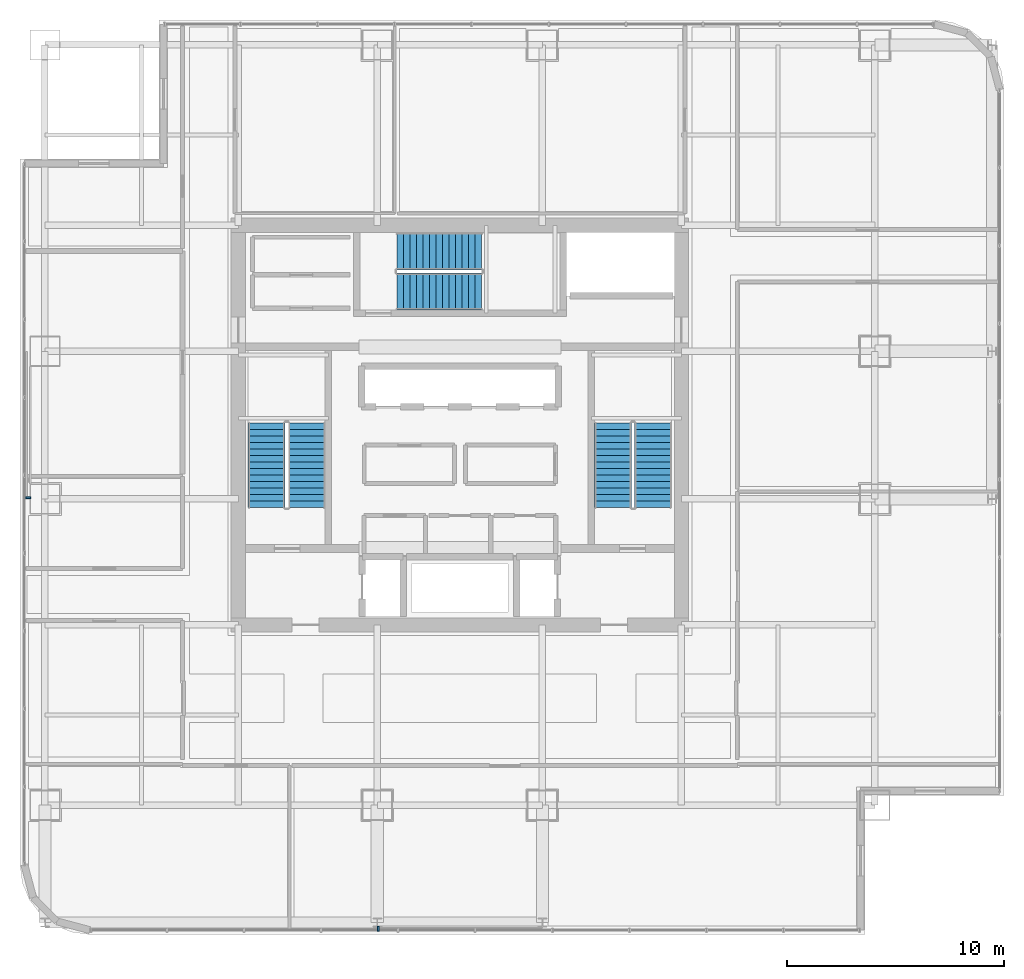
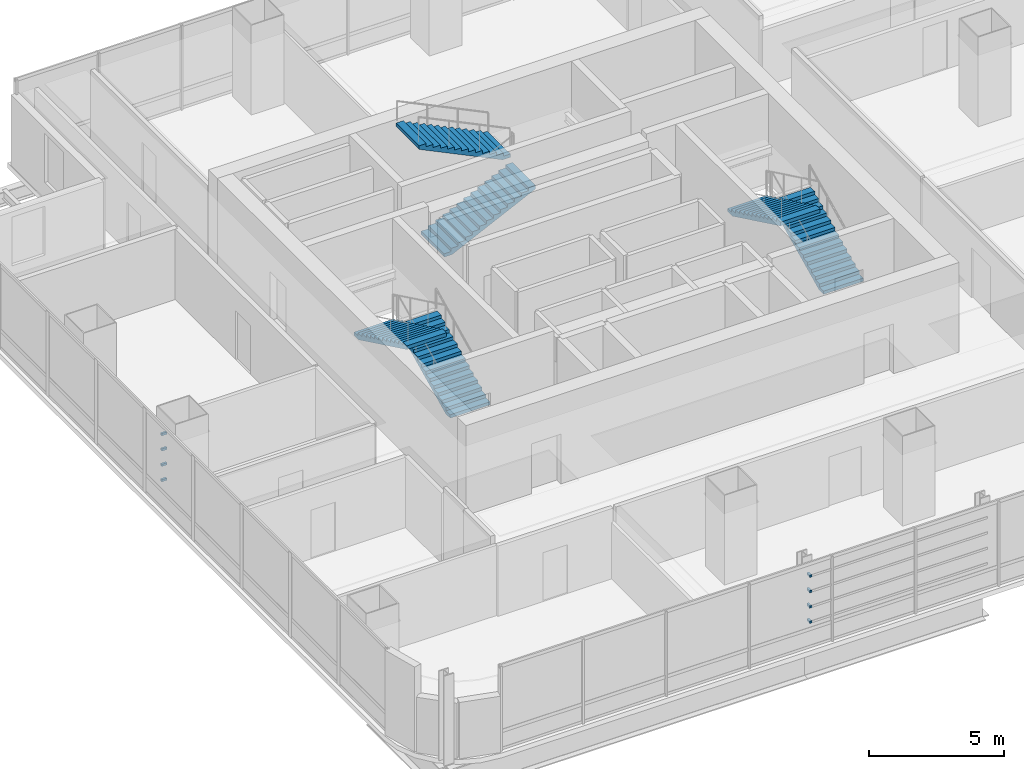
# One storey, part 32 of 37: 8 discrete accessories, 6 stair flights, 3 elements without a shape of their own.
"""IFC4 building model written with IfcOpenShell, lengths in metres."""

from ifc_helpers import new_model, si_unit, direction, frame, origin, origin_2d, place, context, subcontext, project, spatial, polyline, rectangle, outline, extrude, material, type_object, element, aggregate, save


model = new_model("IFC4")

# Units and contexts
model_context = context("Model", 3, precision=1e-05, world=origin(), true_north=direction((0.0, 1.0)))
body_context = subcontext(model_context, "Body", "Model", "MODEL_VIEW")
ifc_project = project(units=[si_unit("LENGTHUNIT", "METRE"), si_unit("AREAUNIT", "SQUARE_METRE"), si_unit("VOLUMEUNIT", "CUBIC_METRE"), si_unit("PLANEANGLEUNIT", "RADIAN"), si_unit("MASSUNIT", "GRAM", prefix="KILO")], contexts=[model_context])

# Site, building, storey
site_placement = place(None, origin())
site = spatial("IfcSite", under=ifc_project, at=site_placement, CompositionType="ELEMENT")
building_placement = place(site_placement, origin())
building = spatial("IfcBuilding", under=site, at=building_placement, Name="Punatoya Terracotta Tower", CompositionType="ELEMENT")
storey_placement = place(building_placement, frame((0.0, 0.0, 224.85009765625)))
storey = spatial("IfcBuildingStorey", under=building, at=storey_placement, Name="L53", CompositionType="ELEMENT", Elevation=224.85009765625)

# Stair, stair flights
ifc_material_1 = material(Name="Concrete C40/50", Category="concrete")
stair_type_1 = type_object("IfcStairType", Name="STR-CORE-1550", PredefinedType="HALF_TURN_STAIR", material=ifc_material_1)
stair_1_placement = place(storey_placement, origin())
stair_1 = element("IfcStair", 1, at=stair_1_placement, inside=storey, type_object=stair_type_1, Name="L53 Protected Core Exit Stair ST-1", PredefinedType="HALF_TURN_STAIR")
stair_flight_type_1 = type_object("IfcStairFlightType", Name="SFL-CORE-1550", PredefinedType="STRAIGHT", material=ifc_material_1)
stair_flight_1_placement = place(storey_placement, frame((-7.050048828125, -3.800048828125, 0.0), z_axis=(0.0, 0.0, 1.0), x_axis=(0.0, 1.0, 0.0)))
stair_flight_1 = element("IfcStairFlight", 2, at=stair_flight_1_placement, type_object=stair_flight_type_1, Name="ST-1 flight 1", NumberOfRisers=14, NumberOfTreads=13, PredefinedType="STRAIGHT", RiserHeight=0.144642857, TreadLength=0.3, context=body_context, shape_type="SweptSolid", body=[
    extrude(outline(polyline([(0.0, 0.0), (0.0, 0.14453125), (0.300048828125, 0.14453125), (0.300048828125, 0.289306640625), (0.60009765625, 0.289306640625), (0.60009765625, 0.433837890625), (0.89990234375, 0.433837890625), (0.89990234375, 0.57861328125), (1.199951171875, 0.57861328125), (1.199951171875, 0.72314453125), (1.5, 0.72314453125), (1.5, 0.867919921875), (1.800048828125, 0.867919921875), (1.800048828125, 1.012451171875), (2.10009765625, 1.012451171875), (2.10009765625, 1.1572265625), (2.39990234375, 1.1572265625), (2.39990234375, 1.3017578125), (2.699951171875, 1.3017578125), (2.699951171875, 1.446533203125), (3.0, 1.446533203125), (3.0, 1.591064453125), (3.300048828125, 1.591064453125), (3.300048828125, 1.735595703125), (3.60009765625, 1.735595703125), (3.60009765625, 1.88037109375), (3.89990234375, 1.88037109375), (3.89990234375, 2.02490234375), (3.89990234375, 1.7138671875), (0.34521484375, 0.0), (0.0, 0.0)])), frame((0.0, 0.85009765625, 0.0), z_axis=(0.0, -1.0, 0.0), x_axis=(1.0, 0.0, 0.0)), (0.0, 0.0, 1.0), 1.699951171875),
])
stair_flight_2_placement = place(storey_placement, frame((-8.89990234375, 0.10009765625, 2.02490234375), z_axis=(0.0, 0.0, 1.0), x_axis=(0.0, -1.0, 0.0)))
stair_flight_2 = element("IfcStairFlight", 3, at=stair_flight_2_placement, type_object=stair_flight_type_1, Name="ST-1 flight 2", NumberOfRisers=14, NumberOfTreads=13, PredefinedType="STRAIGHT", RiserHeight=0.144642857, TreadLength=0.3, context=body_context, shape_type="SweptSolid", body=[
    extrude(outline(polyline([(0.0, 0.0), (0.0, 0.14453125), (0.300048828125, 0.14453125), (0.300048828125, 0.289306640625), (0.60009765625, 0.289306640625), (0.60009765625, 0.433837890625), (0.89990234375, 0.433837890625), (0.89990234375, 0.57861328125), (1.199951171875, 0.57861328125), (1.199951171875, 0.72314453125), (1.5, 0.72314453125), (1.5, 0.867919921875), (1.800048828125, 0.867919921875), (1.800048828125, 1.012451171875), (2.10009765625, 1.012451171875), (2.10009765625, 1.1572265625), (2.39990234375, 1.1572265625), (2.39990234375, 1.3017578125), (2.699951171875, 1.3017578125), (2.699951171875, 1.446533203125), (3.0, 1.446533203125), (3.0, 1.591064453125), (3.300048828125, 1.591064453125), (3.300048828125, 1.735595703125), (3.60009765625, 1.735595703125), (3.60009765625, 1.88037109375), (3.89990234375, 1.88037109375), (3.89990234375, 2.02490234375), (3.89990234375, 1.7138671875), (0.34521484375, 0.0), (0.0, 0.0)])), frame((0.0, 0.85009765625, 0.0), z_axis=(0.0, -1.0, 0.0), x_axis=(1.0, 0.0, 0.0)), (0.0, 0.0, 1.0), 1.699951171875),
])
aggregate(stair_1, [stair_flight_1, stair_flight_2])

stair_type_2 = type_object("IfcStairType", Name="STR-LOB-1650", PredefinedType="HALF_TURN_STAIR", material=ifc_material_1)
stair_2_placement = place(storey_placement, origin())
stair_2 = element("IfcStair", 4, at=stair_2_placement, inside=storey, type_object=stair_type_2, Name="L53 Protected Core Exit Stair ST-2", PredefinedType="HALF_TURN_STAIR")
stair_flight_type_2 = type_object("IfcStairFlightType", Name="SFL-LOB-1650", PredefinedType="STRAIGHT", material=ifc_material_1)
stair_flight_3_placement = place(storey_placement, frame((8.89990234375, -3.800048828125, 0.0), z_axis=(0.0, 0.0, 1.0), x_axis=(0.0, 1.0, 0.0)))
stair_flight_3 = element("IfcStairFlight", 5, at=stair_flight_3_placement, type_object=stair_flight_type_2, Name="ST-2 flight 1", NumberOfRisers=14, NumberOfTreads=13, PredefinedType="STRAIGHT", RiserHeight=0.144642857, TreadLength=0.3, context=body_context, shape_type="SweptSolid", body=[
    extrude(outline(polyline([(0.0, 0.0), (0.0, 0.14453125), (0.300048828125, 0.14453125), (0.300048828125, 0.289306640625), (0.60009765625, 0.289306640625), (0.60009765625, 0.433837890625), (0.89990234375, 0.433837890625), (0.89990234375, 0.57861328125), (1.199951171875, 0.57861328125), (1.199951171875, 0.72314453125), (1.5, 0.72314453125), (1.5, 0.867919921875), (1.800048828125, 0.867919921875), (1.800048828125, 1.012451171875), (2.10009765625, 1.012451171875), (2.10009765625, 1.1572265625), (2.39990234375, 1.1572265625), (2.39990234375, 1.3017578125), (2.699951171875, 1.3017578125), (2.699951171875, 1.446533203125), (3.0, 1.446533203125), (3.0, 1.591064453125), (3.300048828125, 1.591064453125), (3.300048828125, 1.735595703125), (3.60009765625, 1.735595703125), (3.60009765625, 1.88037109375), (3.89990234375, 1.88037109375), (3.89990234375, 2.02490234375), (3.89990234375, 1.7138671875), (0.34521484375, 0.0), (0.0, 0.0)])), frame((0.0, 0.85009765625, 0.0), z_axis=(0.0, -1.0, 0.0), x_axis=(1.0, 0.0, 0.0)), (0.0, 0.0, 1.0), 1.699951171875),
])
stair_flight_4_placement = place(storey_placement, frame((7.050048828125, 0.10009765625, 2.02490234375), z_axis=(0.0, 0.0, 1.0), x_axis=(0.0, -1.0, 0.0)))
stair_flight_4 = element("IfcStairFlight", 6, at=stair_flight_4_placement, type_object=stair_flight_type_2, Name="ST-2 flight 2", NumberOfRisers=14, NumberOfTreads=13, PredefinedType="STRAIGHT", RiserHeight=0.144642857, TreadLength=0.3, context=body_context, shape_type="SweptSolid", body=[
    extrude(outline(polyline([(0.0, 0.0), (0.0, 0.14453125), (0.300048828125, 0.14453125), (0.300048828125, 0.289306640625), (0.60009765625, 0.289306640625), (0.60009765625, 0.433837890625), (0.89990234375, 0.433837890625), (0.89990234375, 0.57861328125), (1.199951171875, 0.57861328125), (1.199951171875, 0.72314453125), (1.5, 0.72314453125), (1.5, 0.867919921875), (1.800048828125, 0.867919921875), (1.800048828125, 1.012451171875), (2.10009765625, 1.012451171875), (2.10009765625, 1.1572265625), (2.39990234375, 1.1572265625), (2.39990234375, 1.3017578125), (2.699951171875, 1.3017578125), (2.699951171875, 1.446533203125), (3.0, 1.446533203125), (3.0, 1.591064453125), (3.300048828125, 1.591064453125), (3.300048828125, 1.735595703125), (3.60009765625, 1.735595703125), (3.60009765625, 1.88037109375), (3.89990234375, 1.88037109375), (3.89990234375, 2.02490234375), (3.89990234375, 1.7138671875), (0.34521484375, 0.0), (0.0, 0.0)])), frame((0.0, 0.85009765625, 0.0), z_axis=(0.0, -1.0, 0.0), x_axis=(1.0, 0.0, 0.0)), (0.0, 0.0, 1.0), 1.699951171875),
])
aggregate(stair_2, [stair_flight_3, stair_flight_4])

stair_type_3 = type_object("IfcStairType", Name="STR-TER-1450", PredefinedType="HALF_TURN_STAIR", material=ifc_material_1)
stair_3_placement = place(storey_placement, origin())
stair_3 = element("IfcStair", 7, at=stair_3_placement, inside=storey, type_object=stair_type_3, Name="L53 Protected Core Exit Stair ST-3", PredefinedType="HALF_TURN_STAIR")
stair_flight_type_3 = type_object("IfcStairFlightType", Name="SFL-TER-1450", PredefinedType="STRAIGHT", material=ifc_material_1)
stair_flight_5_placement = place(storey_placement, frame((-2.89990234375, 6.14990234375, 0.0), z_axis=(0.0, 0.0, 1.0), x_axis=(1.0, 0.0, 0.0)))
stair_flight_5 = element("IfcStairFlight", 8, at=stair_flight_5_placement, type_object=stair_flight_type_3, Name="ST-3 flight 1", NumberOfRisers=14, NumberOfTreads=13, PredefinedType="STRAIGHT", RiserHeight=0.144642857, TreadLength=0.3, context=body_context, shape_type="SweptSolid", body=[
    extrude(outline(polyline([(0.0, 0.0), (0.0, 0.14453125), (0.300048828125, 0.14453125), (0.300048828125, 0.289306640625), (0.60009765625, 0.289306640625), (0.60009765625, 0.433837890625), (0.89990234375, 0.433837890625), (0.89990234375, 0.57861328125), (1.199951171875, 0.57861328125), (1.199951171875, 0.72314453125), (1.5, 0.72314453125), (1.5, 0.867919921875), (1.800048828125, 0.867919921875), (1.800048828125, 1.012451171875), (2.10009765625, 1.012451171875), (2.10009765625, 1.1572265625), (2.39990234375, 1.1572265625), (2.39990234375, 1.3017578125), (2.699951171875, 1.3017578125), (2.699951171875, 1.446533203125), (3.0, 1.446533203125), (3.0, 1.591064453125), (3.300048828125, 1.591064453125), (3.300048828125, 1.735595703125), (3.60009765625, 1.735595703125), (3.60009765625, 1.88037109375), (3.89990234375, 1.88037109375), (3.89990234375, 2.02490234375), (3.89990234375, 1.7138671875), (0.34521484375, 0.0), (0.0, 0.0)])), frame((0.0, 0.85009765625, 0.0), z_axis=(0.0, -1.0, 0.0), x_axis=(1.0, 0.0, 0.0)), (0.0, 0.0, 1.0), 1.699951171875),
])
stair_flight_6_placement = place(storey_placement, frame((1.0, 8.0, 2.02490234375), z_axis=(0.0, 0.0, 1.0), x_axis=(-1.0, 0.0, 0.0)))
stair_flight_6 = element("IfcStairFlight", 9, at=stair_flight_6_placement, type_object=stair_flight_type_3, Name="ST-3 flight 2", NumberOfRisers=14, NumberOfTreads=13, PredefinedType="STRAIGHT", RiserHeight=0.144642857, TreadLength=0.3, context=body_context, shape_type="SweptSolid", body=[
    extrude(outline(polyline([(0.0, 0.0), (0.0, 0.14453125), (0.300048828125, 0.14453125), (0.300048828125, 0.289306640625), (0.60009765625, 0.289306640625), (0.60009765625, 0.433837890625), (0.89990234375, 0.433837890625), (0.89990234375, 0.57861328125), (1.199951171875, 0.57861328125), (1.199951171875, 0.72314453125), (1.5, 0.72314453125), (1.5, 0.867919921875), (1.800048828125, 0.867919921875), (1.800048828125, 1.012451171875), (2.10009765625, 1.012451171875), (2.10009765625, 1.1572265625), (2.39990234375, 1.1572265625), (2.39990234375, 1.3017578125), (2.699951171875, 1.3017578125), (2.699951171875, 1.446533203125), (3.0, 1.446533203125), (3.0, 1.591064453125), (3.300048828125, 1.591064453125), (3.300048828125, 1.735595703125), (3.60009765625, 1.735595703125), (3.60009765625, 1.88037109375), (3.89990234375, 1.88037109375), (3.89990234375, 2.02490234375), (3.89990234375, 1.7138671875), (0.34521484375, 0.0), (0.0, 0.0)])), frame((0.0, 0.85009765625, 0.0), z_axis=(0.0, -1.0, 0.0), x_axis=(1.0, 0.0, 0.0)), (0.0, 0.0, 1.0), 1.699951171875),
])
aggregate(stair_3, [stair_flight_5, stair_flight_6])

# Discrete accessories
ifc_material_2 = material(Name="Steel S355", Category="steel")
discrete_accessory_type = type_object("IfcDiscreteAccessoryType", Name="ACC-BRK-220", PredefinedType="BRACKET", material=ifc_material_2)
for number, where, z_axis, x_axis, name in (
    (10, (-3.75, -23.1826171875, 1.099853515625), (0.0, 0.0, 1.0), (1.0, 0.0, 0.0), "L53 Baguette Louvre Column Bracket BAG-L53-S-01"),
    (11, (-3.75, -23.1826171875, 1.793212890625), (0.0, 0.0, 1.0), (1.0, 0.0, 0.0), "L53 Baguette Louvre Column Bracket BAG-L53-S-02"),
    (12, (-3.75, -23.1826171875, 2.486572265625), (0.0, 0.0, 1.0), (1.0, 0.0, 0.0), "L53 Baguette Louvre Column Bracket BAG-L53-S-03"),
    (13, (-3.75, -23.1826171875, 3.179931640625), (0.0, 0.0, 1.0), (1.0, 0.0, 0.0), "L53 Baguette Louvre Column Bracket BAG-L53-S-04"),
    (14, (-19.8701171875, -3.35009765625, 1.099853515625), (0.0, 0.0, 1.0), (0.0, 1.0, 0.0), "L53 Baguette Louvre Column Bracket BAG-L53-W-01"),
    (15, (-19.8701171875, -3.35009765625, 1.793212890625), (0.0, 0.0, 1.0), (0.0, 1.0, 0.0), "L53 Baguette Louvre Column Bracket BAG-L53-W-02"),
    (16, (-19.8701171875, -3.35009765625, 2.486572265625), (0.0, 0.0, 1.0), (0.0, 1.0, 0.0), "L53 Baguette Louvre Column Bracket BAG-L53-W-03"),
    (17, (-19.8701171875, -3.35009765625, 3.179931640625), (0.0, 0.0, 1.0), (0.0, 1.0, 0.0), "L53 Baguette Louvre Column Bracket BAG-L53-W-04"),
):
    element("IfcDiscreteAccessory", number, at=place(storey_placement, frame(where, z_axis=z_axis, x_axis=x_axis)), inside=storey, type_object=discrete_accessory_type, Name=name, PredefinedType="BRACKET", context=body_context, shape_type="SweptSolid", body=[
        extrude(rectangle(XDim=0.090087890625, YDim=0.219970703125, at=origin_2d()), origin(), (0.0, 0.0, 1.0), 0.10009765625),
    ])

save(model, "model.ifc")
